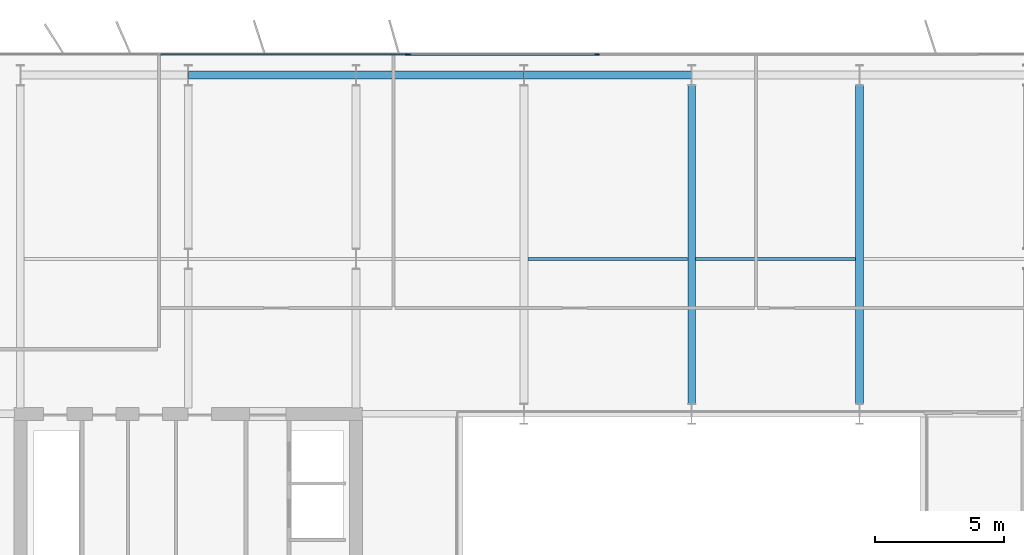
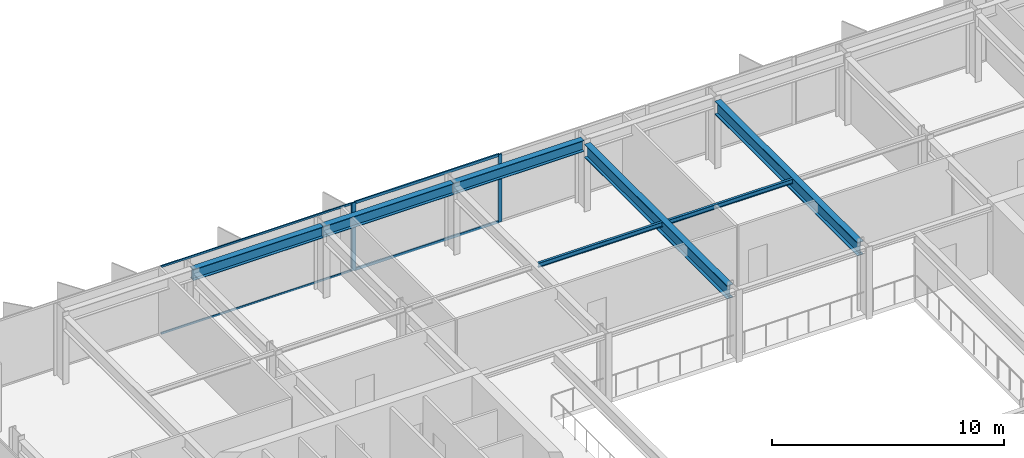
# One storey, part 11 of 23: 7 beams, 7 members, 2 elements without a shape of their own.
"""IFC4 building model written with IfcOpenShell, lengths in metres."""

from ifc_helpers import new_model, si_unit, direction, frame, origin, origin_2d, place, context, subcontext, project, spatial, rectangle, i_section, extrude, material, layer, layer_set, material_profile, profile_set, type_object, element, aggregate, save


model = new_model("IFC4")

# Units and contexts
model_context = context("Model", 3, precision=1e-05, world=origin(), true_north=direction((0.0, 1.0)))
body_context = subcontext(model_context, "Body", "Model", "MODEL_VIEW")
ifc_project = project(units=[si_unit("LENGTHUNIT", "METRE"), si_unit("AREAUNIT", "SQUARE_METRE"), si_unit("VOLUMEUNIT", "CUBIC_METRE"), si_unit("PLANEANGLEUNIT", "RADIAN"), si_unit("MASSUNIT", "GRAM", prefix="KILO")], contexts=[model_context])

# Site, building, storey
site_placement = place(None, origin())
site = spatial("IfcSite", under=ifc_project, at=site_placement, CompositionType="ELEMENT")
building_placement = place(site_placement, origin())
building = spatial("IfcBuilding", under=site, at=building_placement, Name="Putna Gate Headquarters", CompositionType="ELEMENT")
storey_placement = place(building_placement, frame((0.0, 0.0, 221.39990234375)))
storey = spatial("IfcBuildingStorey", under=building, at=storey_placement, Name="L55", CompositionType="ELEMENT", Elevation=221.39990234375)

# Beams
ifc_material_1 = material(Name="Steel S355J2", Category="steel")
ifc_material_profile_1 = material_profile(ifc_material_1, i_section(OverallWidth=0.300048828125, OverallDepth=0.699951171875, WebThickness=0.01708984375, FlangeThickness=0.031982421875, at=origin_2d()), Name="Steel S355J2")
ifc_profile_set_1 = profile_set([ifc_material_profile_1], Name="Steel S355J2")
beam_type_1 = type_object("IfcBeamType", Name="BM-GIRD-B-HEB700", PredefinedType="USERDEFINED", material=ifc_profile_set_1)
for number, where, z_axis, x_axis, name in (
    (1, (39.0, 33.39501953125, 3.22998046875), (0.0, 1.0, 0.0), (-1.0, 0.0, 0.0), "L55 North Primary Girder X39"),
    (2, (45.5, 33.39501953125, 3.22998046875), (0.0, 1.0, 0.0), (-1.0, 0.0, 0.0), "L55 North Primary Girder X45"),
):
    element("IfcBeam", number, at=place(storey_placement, frame(where, z_axis=z_axis, x_axis=x_axis)), inside=storey, type_object=beam_type_1, Name=name, ObjectType="GIRDER", PredefinedType="USERDEFINED", context=body_context, shape_type="SweptSolid", body=[
        extrude(i_section(OverallWidth=0.300048828125, OverallDepth=0.699951171875, WebThickness=0.01708984375, FlangeThickness=0.031982421875, at=origin_2d()), origin(), (0.0, 0.0, 1.0), 12.330078125),
    ])
ifc_material_profile_2 = material_profile(ifc_material_1, i_section(OverallWidth=0.1201171875, OverallDepth=0.239990234375, WebThickness=0.006103515625, FlangeThickness=0.009765625, at=origin_2d()), Name="Steel S355J2")
ifc_profile_set_2 = profile_set([ifc_material_profile_2], Name="Steel S355J2")
beam_type_2 = type_object("IfcBeamType", Name="BM-SEC-Z4-IPE240", PredefinedType="JOIST", material=ifc_profile_set_2)
for number, where, z_axis, x_axis, name in (
    (3, (32.654052734375, 39.0, 3.460205078125), (1.0, 0.0, 0.0), (0.0, 1.0, 0.0), "L55 North Secondary Beam 4"),
    (4, (39.154052734375, 39.0, 3.460205078125), (1.0, 0.0, 0.0), (0.0, 1.0, 0.0), "L55 North Secondary Beam 5"),
):
    element("IfcBeam", number, at=place(storey_placement, frame(where, z_axis=z_axis, x_axis=x_axis)), inside=storey, type_object=beam_type_2, Name=name, PredefinedType="JOIST", context=body_context, shape_type="SweptSolid", body=[
        extrude(i_section(OverallWidth=0.1201171875, OverallDepth=0.239990234375, WebThickness=0.006103515625, FlangeThickness=0.009765625, at=origin_2d()), origin(), (0.0, 0.0, 1.0), 6.19189453125),
    ])
ifc_material_profile_3 = material_profile(ifc_material_1, i_section(OverallWidth=0.300048828125, OverallDepth=0.590087890625, WebThickness=0.012939453125, FlangeThickness=0.02490234375, at=origin_2d()), Name="Steel S355J2")
ifc_profile_set_3 = profile_set([ifc_material_profile_3], Name="Steel S355J2")
beam_type_3 = type_object("IfcBeamType", Name="BM-SPAN-Z4-HEA600", PredefinedType="SPANDREL", material=ifc_profile_set_3)
for number, where, z_axis, x_axis, name in (
    (5, (19.506103515625, 46.1201171875, 3.28515625), (1.0, 0.0, 0.0), (0.0, 1.0, 0.0), "L55 N Perimeter Spandrel 2"),
    (6, (26.006103515625, 46.1201171875, 3.28515625), (1.0, 0.0, 0.0), (0.0, 1.0, 0.0), "L55 N Perimeter Spandrel 3"),
    (7, (32.506103515625, 46.1201171875, 3.28515625), (1.0, 0.0, 0.0), (0.0, 1.0, 0.0), "L55 N Perimeter Spandrel 4"),
):
    element("IfcBeam", number, at=place(storey_placement, frame(where, z_axis=z_axis, x_axis=x_axis)), inside=storey, type_object=beam_type_3, Name=name, PredefinedType="SPANDREL", context=body_context, shape_type="SweptSolid", body=[
        extrude(i_section(OverallWidth=0.300048828125, OverallDepth=0.590087890625, WebThickness=0.012939453125, FlangeThickness=0.02490234375, at=origin_2d()), origin(), (0.0, 0.0, 1.0), 6.48779296875),
    ])

# Curtain wall, member
ifc_material_2 = material(Name="Anodised bronze aluminium curtain wall", Category="aluminium")
ifc_layer_1 = layer(ifc_material_2, 0.139892578125)
ifc_layer_set_1 = layer_set([ifc_layer_1], Name="Anodised bronze aluminium curtain wall")
curtain_wall_type_1 = type_object("IfcCurtainWallType", Name="CW-SYS-Z4", PredefinedType="USERDEFINED", material=ifc_layer_set_1)
curtain_wall_1_placement = place(storey_placement, origin())
curtain_wall_1 = element("IfcCurtainWall", 8, at=curtain_wall_1_placement, inside=storey, type_object=curtain_wall_type_1, Name="L55 North West Curtain Wall", ObjectType="STICK CURTAIN WALL", PredefinedType="USERDEFINED")
ifc_material_3 = material(Name="Anodised bronze aluminium EN AW-6060", Category="aluminium")
ifc_material_profile_4 = material_profile(ifc_material_3, rectangle(XDim=0.06005859375, YDim=0.139892578125, at=origin_2d()), Name="Anodised bronze aluminium EN AW-6060")
ifc_profile_set_4 = profile_set([ifc_material_profile_4], Name="Anodised bronze aluminium EN AW-6060")
member_type_1 = type_object("IfcMemberType", Name="MULL-CWM-4", PredefinedType="MULLION", material=ifc_profile_set_4)
member_1_placement = place(storey_placement, frame((27.969970703125, 46.919921875, 0.0), z_axis=(0.0, 0.0, 1.0), x_axis=(0.0, 1.0, 0.0)))
member_1 = element("IfcMember", 9, at=member_1_placement, type_object=member_type_1, Name="CWS-4 mullion 3", PredefinedType="MULLION", context=body_context, shape_type="SweptSolid", body=[
    extrude(rectangle(XDim=0.06005859375, YDim=0.139892578125, at=origin_2d()), origin(), (0.0, 0.0, 1.0), 3.580078125),
])

# Curtain wall, members
ifc_layer_2 = layer(ifc_material_2, 0.179931640625)
ifc_layer_set_2 = layer_set([ifc_layer_2], Name="Anodised bronze aluminium curtain wall")
curtain_wall_type_2 = type_object("IfcCurtainWallType", Name="CW-SYS-ATR", PredefinedType="USERDEFINED", material=ifc_layer_set_2)
curtain_wall_2_placement = place(storey_placement, origin())
curtain_wall_2 = element("IfcCurtainWall", 10, at=curtain_wall_2_placement, inside=storey, type_object=curtain_wall_type_2, Name="L55 North Atrium Clear Glazing", ObjectType="ATRIUM GLAZING", PredefinedType="USERDEFINED")
ifc_material_profile_5 = material_profile(ifc_material_3, rectangle(XDim=0.070068359375, YDim=0.179931640625, at=origin_2d()), Name="Anodised bronze aluminium EN AW-6060")
ifc_profile_set_5 = profile_set([ifc_material_profile_5], Name="Anodised bronze aluminium EN AW-6060")
member_type_2 = type_object("IfcMemberType", Name="MULL-CWM-AT", PredefinedType="MULLION", material=ifc_profile_set_5)
member_2_placement = place(storey_placement, frame((28.034912109375, 46.919921875, 0.0), z_axis=(0.0, 0.0, 1.0), x_axis=(0.0, 1.0, 0.0)))
member_2 = element("IfcMember", 11, at=member_2_placement, type_object=member_type_2, Name="CWS-AT mullion 1", PredefinedType="MULLION", context=body_context, shape_type="SweptSolid", body=[
    extrude(rectangle(XDim=0.070068359375, YDim=0.179931640625, at=origin_2d()), origin(), (0.0, 0.0, 1.0), 3.580078125),
])
member_3_placement = place(storey_placement, frame((35.333251953125, 46.919921875, 0.0), z_axis=(0.0, 0.0, 1.0), x_axis=(0.0, 1.0, 0.0)))
member_3 = element("IfcMember", 12, at=member_3_placement, type_object=member_type_2, Name="CWS-AT mullion 2", PredefinedType="MULLION", context=body_context, shape_type="SweptSolid", body=[
    extrude(rectangle(XDim=0.070068359375, YDim=0.179931640625, at=origin_2d()), origin(), (0.0, 0.0, 1.0), 3.580078125),
])

# Member
ifc_material_profile_6 = material_profile(ifc_material_3, rectangle(XDim=0.06005859375, YDim=0.10009765625, at=origin_2d()), Name="Anodised bronze aluminium EN AW-6060")
ifc_profile_set_6 = profile_set([ifc_material_profile_6], Name="Anodised bronze aluminium EN AW-6060")
member_type_3 = type_object("IfcMemberType", Name="TRAN-CWT-4", PredefinedType="USERDEFINED", material=ifc_profile_set_6)
member_4_placement = place(storey_placement, frame((18.429931640625, 46.919921875, 0.030029296875), z_axis=(1.0, 0.0, 0.0), x_axis=(0.0, 1.0, 0.0)))
member_4 = element("IfcMember", 13, at=member_4_placement, type_object=member_type_3, Name="CWS-4 transom 2.1", ObjectType="TRANSOM", PredefinedType="USERDEFINED", context=body_context, shape_type="SweptSolid", body=[
    extrude(rectangle(XDim=0.06005859375, YDim=0.10009765625, at=origin_2d()), origin(), (0.0, 0.0, 1.0), 9.510009765625),
])

member_5_placement = place(storey_placement, frame((18.429931640625, 46.919921875, 3.550048828125), z_axis=(1.0, 0.0, 0.0), x_axis=(0.0, 1.0, 0.0)))
member_5 = element("IfcMember", 14, at=member_5_placement, type_object=member_type_3, Name="CWS-4 transom 2.2", ObjectType="TRANSOM", PredefinedType="USERDEFINED", context=body_context, shape_type="SweptSolid", body=[
    extrude(rectangle(XDim=0.06005859375, YDim=0.10009765625, at=origin_2d()), origin(), (0.0, 0.0, 1.0), 9.510009765625),
])

aggregate(curtain_wall_1, [member_1, member_4, member_5])

ifc_material_profile_7 = material_profile(ifc_material_3, rectangle(XDim=0.070068359375, YDim=0.139892578125, at=origin_2d()), Name="Anodised bronze aluminium EN AW-6060")
ifc_profile_set_7 = profile_set([ifc_material_profile_7], Name="Anodised bronze aluminium EN AW-6060")
member_type_4 = type_object("IfcMemberType", Name="TRAN-CWT-AT", PredefinedType="USERDEFINED", material=ifc_profile_set_7)
member_6_placement = place(storey_placement, frame((28.070068359375, 46.919921875, 0.03515625), z_axis=(1.0, 0.0, 0.0), x_axis=(0.0, 1.0, 0.0)))
member_6 = element("IfcMember", 15, at=member_6_placement, type_object=member_type_4, Name="CWS-AT transom 1.1", ObjectType="TRANSOM", PredefinedType="USERDEFINED", context=body_context, shape_type="SweptSolid", body=[
    extrude(rectangle(XDim=0.070068359375, YDim=0.139892578125, at=origin_2d()), origin(), (0.0, 0.0, 1.0), 7.228271484375),
])

member_7_placement = place(storey_placement, frame((28.070068359375, 46.919921875, 3.545166015625), z_axis=(1.0, 0.0, 0.0), x_axis=(0.0, 1.0, 0.0)))
member_7 = element("IfcMember", 16, at=member_7_placement, type_object=member_type_4, Name="CWS-AT transom 1.2", ObjectType="TRANSOM", PredefinedType="USERDEFINED", context=body_context, shape_type="SweptSolid", body=[
    extrude(rectangle(XDim=0.070068359375, YDim=0.139892578125, at=origin_2d()), origin(), (0.0, 0.0, 1.0), 7.228271484375),
])

aggregate(curtain_wall_2, [member_2, member_3, member_6, member_7])

save(model, "model.ifc")
